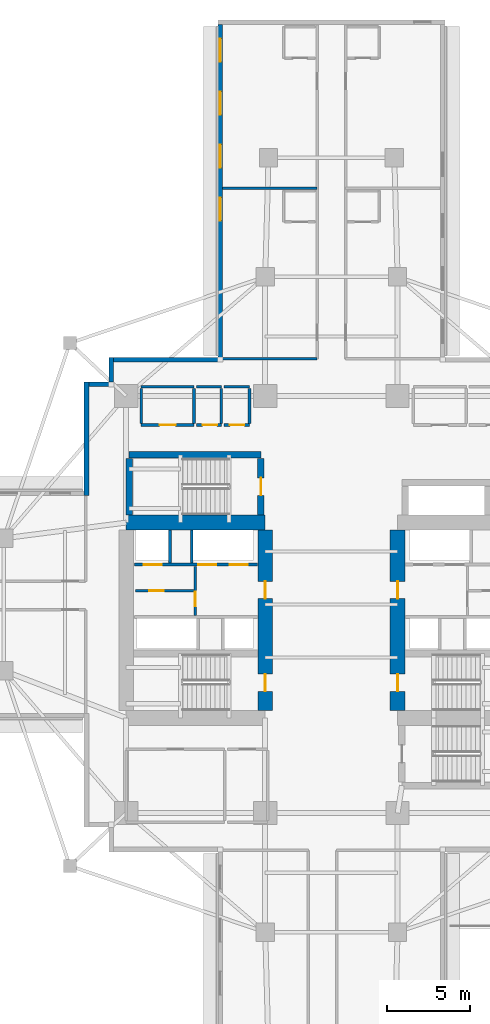
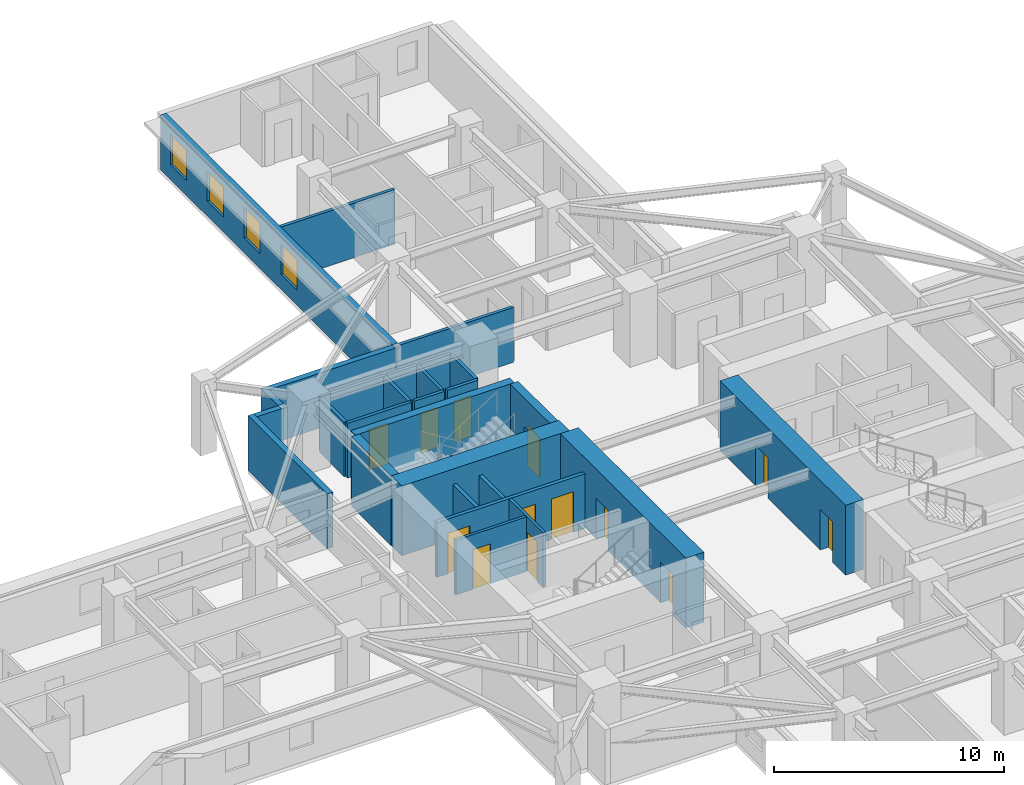
# One storey, part 5 of 13: 28 walls, 13 doors, 4 windows, 17 openings.
"""IFC4 building model written with IfcOpenShell, lengths in metres."""

import ifcopenshell
import ifcopenshell.guid

model = None  # the IFC model being written
_history = None  # IfcOwnerHistory: only IFC2X3 demands one
_inside = {}  # id of a spatial element -> (the spatial element, [elements in it])
_under = {}  # id of a project, library or spatial element -> (it, [spatial elements below it])
_declared = {}  # id of a project -> (the project, [libraries it declares])
_typed = {}  # id of a type object -> (the type object, [elements of that type])
_made_of = {}  # id of a material, layer set ... -> (it, [elements and type objects made of it])


def new_model(schema):
    """Start an empty IFC model of exactly this schema.

    Asked for "IFC4X3", IfcOpenShell would pick the latest addendum, in which some entities
    have other attributes; the version numbers below select the first issue.
    IFC2X3 requires an IfcOwnerHistory on every rooted entity: one is made here for all.
    """
    global model, _history
    if schema == "IFC4X3":
        model = ifcopenshell.file(schema_version=(4, 3, 0, 0))
    else:
        model = ifcopenshell.file(schema=schema)
    _inside.clear()
    _under.clear()
    _declared.clear()
    _typed.clear()
    _made_of.clear()
    _history = None
    if model.schema == "IFC2X3":
        org = make("IfcOrganization", Name="unknown")
        user = make(
            "IfcPersonAndOrganization",
            ThePerson=make("IfcPerson", FamilyName="unknown"),
            TheOrganization=org,
        )
        app = make(
            "IfcApplication",
            ApplicationDeveloper=org,
            Version="unknown",
            ApplicationFullName="unknown",
            ApplicationIdentifier="unknown",
        )
        _history = make(
            "IfcOwnerHistory",
            OwningUser=user,
            OwningApplication=app,
            ChangeAction="ADDED",
            CreationDate=0,
        )
    return model


def make(cls, **values):
    """One entity of the class cls with the attributes given. An attribute that is None is left unset."""
    return model.create_entity(
        cls, **{name: value for name, value in values.items() if value is not None}
    )


def rooted(cls, **values):
    """An entity with a GlobalId (a new one), such as an element, a storey or a relation."""
    return make(cls, GlobalId=ifcopenshell.guid.new(), OwnerHistory=_history, **values)


def si_unit(unit_type, name, prefix=None):
    """IfcSIUnit, for example si_unit("LENGTHUNIT", "METRE", prefix="MILLI")."""
    return make("IfcSIUnit", UnitType=unit_type, Prefix=prefix, Name=name)


def assignment(units):
    """IfcUnitAssignment: the units of a project."""
    return None if units is None else make("IfcUnitAssignment", Units=units)


def point(xyz):
    """IfcCartesianPoint."""
    return None if xyz is None else make("IfcCartesianPoint", Coordinates=xyz)


def direction(xyz):
    """IfcDirection."""
    return None if xyz is None else make("IfcDirection", DirectionRatios=xyz)


def frame(location, z_axis=None, x_axis=None):
    """IfcAxis2Placement3D, a coordinate frame: its origin and axes. An axis left out is left unset."""
    return make(
        "IfcAxis2Placement3D",
        Location=point(location),
        Axis=direction(z_axis),
        RefDirection=direction(x_axis),
    )


def frame_2d(location, x_axis=None):
    """IfcAxis2Placement2D, a coordinate frame in the plane: its origin and x axis."""
    return make(
        "IfcAxis2Placement2D", Location=point(location), RefDirection=direction(x_axis)
    )


def origin():
    """The frame at (0, 0, 0) with its axes left unset."""
    return frame((0.0, 0.0, 0.0))


def place(relative_to, where):
    """IfcLocalPlacement: puts the frame where relative to a parent placement (None: the world)."""
    return make(
        "IfcLocalPlacement", PlacementRelTo=relative_to, RelativePlacement=where
    )


def context(
    kind, dimensions, precision=None, world=None, true_north=None, identifier=None
):
    """IfcGeometricRepresentationContext, for example the 3D "Model" context."""
    return make(
        "IfcGeometricRepresentationContext",
        ContextIdentifier=identifier,
        ContextType=kind,
        CoordinateSpaceDimension=dimensions,
        Precision=precision,
        WorldCoordinateSystem=world,
        TrueNorth=true_north,
    )


def subcontext(parent, identifier, kind, view, scale=None):
    """IfcGeometricRepresentationSubContext, for example "Body" below "Model"."""
    return make(
        "IfcGeometricRepresentationSubContext",
        ContextIdentifier=identifier,
        ContextType=kind,
        ParentContext=parent,
        TargetScale=scale,
        TargetView=view,
    )


def project(units=None, contexts=None):
    """IfcProject with its units and contexts."""
    return rooted(
        "IfcProject",
        Name="project",
        RepresentationContexts=contexts,
        UnitsInContext=assignment(units),
    )


def spatial(cls, under=None, at=None, **own):
    """A site, building, storey or space (cls), placed at a placement, below another one or the project."""
    s = rooted(cls, ObjectPlacement=at, **own)
    if under is not None:
        _under.setdefault(under.id(), (under, []))[1].append(s)
    return s


def profile(cls, at=None, kind="AREA", **sizes):
    """A parametric profile (cls). Its sizes go by their IFC names, for example OverallWidth=200.0."""
    return make(cls, ProfileType=kind, Position=at, **sizes)


def rectangle(**sizes):
    """IfcRectangleProfileDef."""
    return profile("IfcRectangleProfileDef", **sizes)


def extrude(swept, where, along, depth):
    """IfcExtrudedAreaSolid: the profile swept, set in the frame where, extruded along a direction by depth."""
    return make(
        "IfcExtrudedAreaSolid",
        SweptArea=swept,
        Position=where,
        ExtrudedDirection=direction(along),
        Depth=depth,
    )


def shape(context_of_items, identifier, shape_type, items):
    """IfcShapeRepresentation: the items that make up one representation, for example the "Body"."""
    return make(
        "IfcShapeRepresentation",
        ContextOfItems=context_of_items,
        RepresentationIdentifier=identifier,
        RepresentationType=shape_type,
        Items=items,
    )


def material(Name=None, Category=None):
    """IfcMaterial."""
    return make("IfcMaterial", Name=Name, Category=Category)


def layer(
    of_material, thickness, ventilated=None, Name=None, Category=None, Priority=None
):
    """IfcMaterialLayer: one layer of a wall or slab, of a material (None: an air gap)."""
    return make(
        "IfcMaterialLayer",
        Material=of_material,
        LayerThickness=thickness,
        IsVentilated=ventilated,
        Name=Name,
        Category=Category,
        Priority=Priority,
    )


def layer_set(layers, Name=None):
    """IfcMaterialLayerSet."""
    return make("IfcMaterialLayerSet", MaterialLayers=layers, LayerSetName=Name)


def made_of(thing, what):
    """Note that an element or type object is made of a material, layer set ...; save() writes the relation."""
    if what is not None:
        _made_of.setdefault(what.id(), (what, []))[1].append(thing)
    return thing


def type_object(cls, material=None, **own):
    """A type object (cls), such as IfcWallType, which elements share."""
    return made_of(rooted(cls, **own), material)


def element(
    cls,
    number,
    at=None,
    inside=None,
    cuts=None,
    type_object=None,
    material=None,
    context=None,
    identifier="Body",
    shape_type=None,
    held_by="IfcProductDefinitionShape",
    body=None,
    shapes=None,
    **own,
):
    """One element of the class cls, such as IfcWall. Its Tag is "e" and its number.

    at: its placement. inside: the storey or other place that contains it. cuts: it is an
    opening in that element (IfcRelVoidsElement). A single representation is given by context,
    identifier, shape_type and body (its items); several are given by shapes. held_by: the class
    of the entity that holds the representations. save() writes the other relations.
    """
    e = rooted(cls, Tag="e%d" % number, ObjectPlacement=at, **own)
    if body is not None:
        shapes = [shape(context, identifier, shape_type, body)]
    if shapes is not None:
        e.Representation = make(held_by, Representations=shapes)
    if inside is not None:
        _inside.setdefault(inside.id(), (inside, []))[1].append(e)
    if cuts is not None:
        rooted(
            "IfcRelVoidsElement", RelatingBuildingElement=cuts, RelatedOpeningElement=e
        )
    if type_object is not None:
        _typed.setdefault(type_object.id(), (type_object, []))[1].append(e)
    return made_of(e, material)


def fill(opening, filler):
    """IfcRelFillsElement: the door or window that sits in an opening."""
    return rooted(
        "IfcRelFillsElement",
        RelatingOpeningElement=opening,
        RelatedBuildingElement=filler,
    )


def aggregate(whole, parts):
    """IfcRelAggregates: a whole, such as a stair, and the parts it consists of."""
    return rooted("IfcRelAggregates", RelatingObject=whole, RelatedObjects=parts)


def save(model, path):
    """Write the relations noted so far, then the file.

    IfcRelAggregates (storeys below a building ...), IfcRelContainedInSpatialStructure (elements
    in a storey), IfcRelDefinesByType, IfcRelAssociatesMaterial and IfcRelDeclares: one each for
    every whole, place, type object, material and project.
    """
    for whole, parts in _under.values():
        aggregate(whole, parts)
    for where, things in _inside.values():
        rooted(
            "IfcRelContainedInSpatialStructure",
            RelatedElements=things,
            RelatingStructure=where,
        )
    for kind, things in _typed.values():
        rooted("IfcRelDefinesByType", RelatedObjects=things, RelatingType=kind)
    for what, things in _made_of.values():
        rooted("IfcRelAssociatesMaterial", RelatedObjects=things, RelatingMaterial=what)
    for by, libraries in _declared.values():
        rooted("IfcRelDeclares", RelatingContext=by, RelatedDefinitions=libraries)
    model.write(path)


model = new_model("IFC4")

# Units and contexts
model_context = context("Model", 3, precision=1e-05, world=origin(), true_north=direction((0.0, 1.0)))
body_context = subcontext(model_context, "Body", "Model", "MODEL_VIEW")
ifc_project = project(units=[si_unit("LENGTHUNIT", "METRE"), si_unit("AREAUNIT", "SQUARE_METRE"), si_unit("VOLUMEUNIT", "CUBIC_METRE"), si_unit("PLANEANGLEUNIT", "RADIAN"), si_unit("MASSUNIT", "GRAM", prefix="KILO")], contexts=[model_context])

# Site, building, storey
site_placement = place(None, origin())
site = spatial("IfcSite", under=ifc_project, at=site_placement, CompositionType="ELEMENT")
building_placement = place(site_placement, origin())
building = spatial("IfcBuilding", under=site, at=building_placement, Name="Qingluan Cross Belvedere", CompositionType="ELEMENT")
storey_placement = place(building_placement, frame((0.0, 0.0, 63.89990234375)))
storey = spatial("IfcBuildingStorey", under=building, at=storey_placement, Name="L16", CompositionType="ELEMENT", Elevation=63.89990234375)

# Walls
ifc_material_1 = material(Name="Concrete C50", Category="concrete")
ifc_layer_1 = layer(ifc_material_1, 0.449951171875, Name="CoreShearWall_450")
ifc_layer_set_1 = layer_set([ifc_layer_1], Name="Concrete C50")
wall_type_1 = type_object("IfcWallType", Name="CoreShearWall_450", PredefinedType="SHEAR", material=ifc_layer_set_1)
wall_1_placement = place(storey_placement, frame((-12.219970703125, 9.0400390625, 0.0), z_axis=(0.0, 0.0, 1.0), x_axis=(1.0, 0.0, 0.0)))
element("IfcWall", 1, at=wall_1_placement, inside=storey, type_object=wall_type_1, Name="Stair ST3 structural wall N L16", PredefinedType="SHEAR", context=body_context, shape_type="SweptSolid", body=[
    extrude(rectangle(XDim=7.9599609375, YDim=0.39990234375, at=frame_2d((3.97998046875, 0.0))), origin(), (0.0, 0.0, 1.0), 3.7001953125),
])
wall_2_placement = place(storey_placement, frame((-12.219970703125, 5.405029296875, 0.0), z_axis=(0.0, 0.0, 1.0), x_axis=(0.0, 1.0, 0.0)))
element("IfcWall", 2, at=wall_2_placement, inside=storey, type_object=wall_type_1, Name="Stair ST3 structural wall W L16", PredefinedType="SHEAR", context=body_context, shape_type="SweptSolid", body=[
    extrude(rectangle(XDim=3.429931640625, YDim=0.39990234375, at=frame_2d((1.71484375, 0.0))), origin(), (0.0, 0.0, 1.0), 3.7001953125),
])

# Wall, opening, door
wall_3_placement = place(storey_placement, frame((-4.260009765625, 5.405029296875, 0.0), z_axis=(0.0, 0.0, 1.0), x_axis=(0.0, 1.0, 0.0)))
wall_3 = element("IfcWall", 3, at=wall_3_placement, inside=storey, type_object=wall_type_1, Name="Stair ST3 structural wall E L16", PredefinedType="SHEAR", context=body_context, shape_type="SweptSolid", body=[
    extrude(rectangle(XDim=3.429931640625, YDim=0.39990234375, at=frame_2d((1.71484375, 0.0))), origin(), (0.0, 0.0, 1.0), 3.7001953125),
])
opening_1_placement = place(wall_3_placement, frame((1.195068359375, 0.0, 0.0)))
opening_1 = element("IfcOpeningElement", 4, at=opening_1_placement, cuts=wall_3, Name="Opening FD-B11", PredefinedType="OPENING", context=body_context, shape_type="SweptSolid", body=[
    extrude(rectangle(XDim=1.050048828125, YDim=2.14990234375, at=frame_2d((0.52490234375, 1.074951171875))), frame((0.0, 0.2099609375, 0.0), z_axis=(0.0, -1.0, 0.0), x_axis=(1.0, 0.0, 0.0)), (0.0, 0.0, 1.0), 0.419921875),
])
ifc_material_2 = material(Name="Steel Class B smoke-seal fire door", Category="steel")
door_type_1 = type_object("IfcDoorType", Name="StairLobbyFireDoor_FDB", OperationType="NOTDEFINED", PredefinedType="DOOR", material=ifc_material_2)
door_1_placement = place(opening_1_placement, origin())
door_1 = element("IfcDoor", 5, at=door_1_placement, inside=storey, type_object=door_type_1, Name="Smoke-proof stair ST3 fire door L16", OperationType="SINGLE_SWING_RIGHT", OverallHeight=2.14990234375, OverallWidth=1.050048828125, PredefinedType="DOOR", context=body_context, shape_type="SweptSolid", body=[
    extrude(rectangle(XDim=1.050048828125, YDim=2.14990234375, at=frame_2d((0.52490234375, 1.074951171875))), frame((0.0, 0.02490234375, 0.0), z_axis=(0.0, -1.0, 0.0), x_axis=(1.0, 0.0, 0.0)), (0.0, 0.0, 1.0), 0.050048828125),
])
fill(opening_1, door_1)

# Wall
ifc_material_3 = material(Name="Concrete C70", Category="concrete")
ifc_layer_2 = layer(ifc_material_3, 0.89990234375, Name="CoreShearWall_900")
ifc_layer_set_2 = layer_set([ifc_layer_2], Name="Concrete C70")
wall_type_2 = type_object("IfcWallType", Name="CoreShearWall_900", PredefinedType="SHEAR", material=ifc_layer_set_2)
wall_4_placement = place(storey_placement, frame((-12.39990234375, 4.949951171875, 0.0), z_axis=(0.0, 0.0, 1.0), x_axis=(1.0, 0.0, 0.0)))
element("IfcWall", 6, at=wall_4_placement, inside=storey, type_object=wall_type_2, Name="Split core W shear wall L16-N", PredefinedType="SHEAR", context=body_context, shape_type="SweptSolid", body=[
    extrude(rectangle(XDim=8.39990234375, YDim=0.89990234375, at=frame_2d((4.199951171875, 0.0))), origin(), (0.0, 0.0, 1.0), 3.7001953125),
])

# Wall, openings, doors
wall_5_placement = place(storey_placement, frame((-4.0, -6.39501953125, 0.0), z_axis=(0.0, 0.0, 1.0), x_axis=(0.0, 1.0, 0.0)))
wall_5 = element("IfcWall", 7, at=wall_5_placement, inside=storey, type_object=wall_type_2, Name="Split core W shear wall L16-E", PredefinedType="SHEAR", context=body_context, shape_type="SweptSolid", body=[
    extrude(rectangle(XDim=10.89013671875, YDim=0.89990234375, at=frame_2d((5.445068359375, 0.0))), origin(), (0.0, 0.0, 1.0), 3.7001953125),
])
opening_2_placement = place(wall_5_placement, frame((1.14501953125, 0.0, 0.0)))
opening_2 = element("IfcOpeningElement", 8, at=opening_2_placement, cuts=wall_5, Name="Opening FD-B11", PredefinedType="OPENING", context=body_context, shape_type="SweptSolid", body=[
    extrude(rectangle(XDim=1.050048828125, YDim=2.14990234375, at=frame_2d((0.52490234375, 1.074951171875))), frame((0.0, 0.4599609375, 0.0), z_axis=(0.0, -1.0, 0.0), x_axis=(1.0, 0.0, 0.0)), (0.0, 0.0, 1.0), 0.919921875),
])
opening_3_placement = place(wall_5_placement, frame((6.7451171875, 0.0, 0.0)))
opening_3 = element("IfcOpeningElement", 9, at=opening_3_placement, cuts=wall_5, Name="Opening FD-B11", PredefinedType="OPENING", context=body_context, shape_type="SweptSolid", body=[
    extrude(rectangle(XDim=1.050048828125, YDim=2.14990234375, at=frame_2d((0.52490234375, 1.074951171875))), frame((0.0, 0.4599609375, 0.0), z_axis=(0.0, -1.0, 0.0), x_axis=(1.0, 0.0, 0.0)), (0.0, 0.0, 1.0), 0.919921875),
])
door_2_placement = place(opening_2_placement, origin())
door_2 = element("IfcDoor", 10, at=door_2_placement, inside=storey, type_object=door_type_1, Name="Smoke-proof stair ST1 fire door L16", OperationType="SINGLE_SWING_RIGHT", OverallHeight=2.14990234375, OverallWidth=1.050048828125, PredefinedType="DOOR", context=body_context, shape_type="SweptSolid", body=[
    extrude(rectangle(XDim=1.050048828125, YDim=2.14990234375, at=frame_2d((0.52490234375, 1.074951171875))), frame((0.0, 0.02490234375, 0.0), z_axis=(0.0, -1.0, 0.0), x_axis=(1.0, 0.0, 0.0)), (0.0, 0.0, 1.0), 0.050048828125),
])
fill(opening_2, door_2)
door_3_placement = place(opening_3_placement, origin())
door_3 = element("IfcDoor", 11, at=door_3_placement, inside=storey, type_object=door_type_1, Name="Firefighting lobby West fire door L16", OperationType="SINGLE_SWING_RIGHT", OverallHeight=2.14990234375, OverallWidth=1.050048828125, PredefinedType="DOOR", context=body_context, shape_type="SweptSolid", body=[
    extrude(rectangle(XDim=1.050048828125, YDim=2.14990234375, at=frame_2d((0.52490234375, 1.074951171875))), frame((0.0, 0.02490234375, 0.0), z_axis=(0.0, -1.0, 0.0), x_axis=(1.0, 0.0, 0.0)), (0.0, 0.0, 1.0), 0.050048828125),
])
fill(opening_3, door_3)

wall_6_placement = place(storey_placement, frame((4.0, -6.39501953125, 0.0), z_axis=(0.0, 0.0, 1.0), x_axis=(0.0, 1.0, 0.0)))
wall_6 = element("IfcWall", 12, at=wall_6_placement, inside=storey, type_object=wall_type_2, Name="Split core E shear wall L16-W", PredefinedType="SHEAR", context=body_context, shape_type="SweptSolid", body=[
    extrude(rectangle(XDim=10.89013671875, YDim=0.89990234375, at=frame_2d((5.445068359375, 0.0))), origin(), (0.0, 0.0, 1.0), 3.7001953125),
])
opening_4_placement = place(wall_6_placement, frame((1.14501953125, 0.0, 0.0)))
opening_4 = element("IfcOpeningElement", 13, at=opening_4_placement, cuts=wall_6, Name="Opening FD-B11", PredefinedType="OPENING", context=body_context, shape_type="SweptSolid", body=[
    extrude(rectangle(XDim=1.050048828125, YDim=2.14990234375, at=frame_2d((0.52490234375, 1.074951171875))), frame((0.0, 0.4599609375, 0.0), z_axis=(0.0, -1.0, 0.0), x_axis=(1.0, 0.0, 0.0)), (0.0, 0.0, 1.0), 0.919921875),
])
opening_5_placement = place(wall_6_placement, frame((6.7451171875, 0.0, 0.0)))
opening_5 = element("IfcOpeningElement", 14, at=opening_5_placement, cuts=wall_6, Name="Opening FD-B11", PredefinedType="OPENING", context=body_context, shape_type="SweptSolid", body=[
    extrude(rectangle(XDim=1.050048828125, YDim=2.14990234375, at=frame_2d((0.52490234375, 1.074951171875))), frame((0.0, 0.4599609375, 0.0), z_axis=(0.0, -1.0, 0.0), x_axis=(1.0, 0.0, 0.0)), (0.0, 0.0, 1.0), 0.919921875),
])
door_4_placement = place(opening_4_placement, origin())
door_4 = element("IfcDoor", 15, at=door_4_placement, inside=storey, type_object=door_type_1, Name="Smoke-proof stair ST2 fire door L16", OperationType="SINGLE_SWING_LEFT", OverallHeight=2.14990234375, OverallWidth=1.050048828125, PredefinedType="DOOR", context=body_context, shape_type="SweptSolid", body=[
    extrude(rectangle(XDim=1.050048828125, YDim=2.14990234375, at=frame_2d((0.52490234375, 1.074951171875))), frame((0.0, 0.02490234375, 0.0), z_axis=(0.0, -1.0, 0.0), x_axis=(1.0, 0.0, 0.0)), (0.0, 0.0, 1.0), 0.050048828125),
])
fill(opening_4, door_4)
door_5_placement = place(opening_5_placement, origin())
door_5 = element("IfcDoor", 16, at=door_5_placement, inside=storey, type_object=door_type_1, Name="Firefighting lobby East fire door L16", OperationType="SINGLE_SWING_LEFT", OverallHeight=2.14990234375, OverallWidth=1.050048828125, PredefinedType="DOOR", context=body_context, shape_type="SweptSolid", body=[
    extrude(rectangle(XDim=1.050048828125, YDim=2.14990234375, at=frame_2d((0.52490234375, 1.074951171875))), frame((0.0, 0.02490234375, 0.0), z_axis=(0.0, -1.0, 0.0), x_axis=(1.0, 0.0, 0.0)), (0.0, 0.0, 1.0), 0.050048828125),
])
fill(opening_5, door_5)

# Wall, opening, door
ifc_material_4 = material(Name="Gypsum plasterboard on steel stud acoustic partition", Category="steel")
ifc_layer_3 = layer(ifc_material_4, 0.159912109375, Name="CorridorPartition_160")
ifc_layer_set_3 = layer_set([ifc_layer_3], Name="Gypsum plasterboard on steel stud acoustic partition")
wall_type_3 = type_object("IfcWallType", Name="CorridorPartition_160", PredefinedType="PARTITIONING", material=ifc_layer_set_3)
wall_7_placement = place(storey_placement, frame((-11.85009765625, 0.830078125, 0.0), z_axis=(0.0, 0.0, 1.0), x_axis=(1.0, 0.0, 0.0)))
wall_7 = element("IfcWall", 17, at=wall_7_placement, inside=storey, type_object=wall_type_3, Name="Partition L16:w", PredefinedType="PARTITIONING", context=body_context, shape_type="SweptSolid", body=[
    extrude(rectangle(XDim=3.552001953125, YDim=0.139892578125, at=frame_2d((1.77587890625, 0.0))), origin(), (0.0, 0.0, 1.0), 2.900146484375),
])
opening_6_placement = place(wall_7_placement, frame((0.85009765625, 0.0, 0.0)))
opening_6 = element("IfcOpeningElement", 18, at=opening_6_placement, cuts=wall_7, Name="Opening FD-B10", PredefinedType="OPENING", context=body_context, shape_type="SweptSolid", body=[
    extrude(rectangle(XDim=0.8798828125, YDim=2.10009765625, at=frame_2d((0.43994140625, 1.050048828125))), frame((0.0, 0.079833984375, 0.0), z_axis=(0.0, -1.0, 0.0), x_axis=(1.0, 0.0, 0.0)), (0.0, 0.0, 1.0), 0.159912109375),
])
ifc_material_5 = material(Name="Steel Class B service fire door", Category="steel")
door_type_2 = type_object("IfcDoorType", Name="RiserServiceFireDoor_FDB", OperationType="NOTDEFINED", PredefinedType="DOOR", material=ifc_material_5)
door_6_placement = place(opening_6_placement, origin())
door_6 = element("IfcDoor", 19, at=door_6_placement, inside=storey, type_object=door_type_2, Name="Service closet inner door L16", OperationType="SINGLE_SWING_RIGHT", OverallHeight=2.10009765625, OverallWidth=0.8798828125, PredefinedType="DOOR", context=body_context, shape_type="SweptSolid", body=[
    extrude(rectangle(XDim=0.8798828125, YDim=2.10009765625, at=frame_2d((0.43994140625, 1.050048828125))), frame((0.0, 0.02490234375, 0.0), z_axis=(0.0, -1.0, 0.0), x_axis=(1.0, 0.0, 0.0)), (0.0, 0.0, 1.0), 0.050048828125),
])
fill(opening_6, door_6)

wall_8_placement = place(storey_placement, frame((-11.5, 10.85009765625, 0.0), z_axis=(0.0, 0.0, 1.0), x_axis=(1.0, 0.0, 0.0)))
wall_8 = element("IfcWall", 20, at=wall_8_placement, inside=storey, type_object=wall_type_3, Name="Partition L16:q_nw_occ:S", PredefinedType="PARTITIONING", context=body_context, shape_type="SweptSolid", body=[
    extrude(rectangle(XDim=3.199951171875, YDim=0.159912109375, at=frame_2d((1.60009765625, 0.0))), origin(), (0.0, 0.0, 1.0), 2.900146484375),
])
opening_7_placement = place(wall_8_placement, frame((1.1201171875, 0.0, 0.0)))
opening_7 = element("IfcOpeningElement", 21, at=opening_7_placement, cuts=wall_8, Name="Opening GD-10", PredefinedType="OPENING", context=body_context, shape_type="SweptSolid", body=[
    extrude(rectangle(XDim=0.9599609375, YDim=2.14990234375, at=frame_2d((0.47998046875, 1.074951171875))), frame((0.0, 0.08984375, 0.0), z_axis=(0.0, -1.0, 0.0), x_axis=(1.0, 0.0, 0.0)), (0.0, 0.0, 1.0), 0.179931640625),
])
ifc_material_6 = material(Name="Timber oak fire-rated acoustic guestroom door", Category="wood")
door_type_3 = type_object("IfcDoorType", Name="GuestEntryDoor_FD60", OperationType="NOTDEFINED", PredefinedType="DOOR", material=ifc_material_6)
door_7_placement = place(opening_7_placement, origin())
door_7 = element("IfcDoor", 22, at=door_7_placement, inside=storey, type_object=door_type_3, Name="Northwest corner reading salon L16 door", OperationType="SINGLE_SWING_RIGHT", OverallHeight=2.14990234375, OverallWidth=0.9599609375, PredefinedType="DOOR", context=body_context, shape_type="SweptSolid", body=[
    extrude(rectangle(XDim=0.9599609375, YDim=2.14990234375, at=frame_2d((0.47998046875, 1.074951171875))), frame((0.0, 0.02490234375, 0.0), z_axis=(0.0, -1.0, 0.0), x_axis=(1.0, 0.0, 0.0)), (0.0, 0.0, 1.0), 0.050048828125),
])
fill(opening_7, door_7)

# Walls
wall_9_placement = place(storey_placement, frame((-11.5, 13.14990234375, 0.0), z_axis=(0.0, 0.0, 1.0), x_axis=(1.0, 0.0, 0.0)))
element("IfcWall", 23, at=wall_9_placement, inside=storey, type_object=wall_type_3, Name="Partition L16:q_nw_occ:N", PredefinedType="PARTITIONING", context=body_context, shape_type="SweptSolid", body=[
    extrude(rectangle(XDim=3.199951171875, YDim=0.159912109375, at=frame_2d((1.60009765625, 0.0))), origin(), (0.0, 0.0, 1.0), 2.900146484375),
])
for number, where, z_axis, x_axis, name in (
    (24, (-11.5, 10.93505859375, 0.0), (0.0, 0.0, 1.0), (0.0, 1.0, 0.0), "Partition L16:q_nw_occ:W"),
    (25, (-8.300048828125, 10.93505859375, 0.0), (0.0, 0.0, 1.0), (0.0, 1.0, 0.0), "Partition L16:q_nw_occ:E"),
):
    element("IfcWall", number, at=place(storey_placement, frame(where, z_axis=z_axis, x_axis=x_axis)), inside=storey, type_object=wall_type_3, Name=name, PredefinedType="PARTITIONING", context=body_context, shape_type="SweptSolid", body=[
        extrude(rectangle(XDim=2.1298828125, YDim=0.159912109375, at=frame_2d((1.06494140625, 0.0))), origin(), (0.0, 0.0, 1.0), 2.900146484375),
    ])

# Wall, opening, door
wall_10_placement = place(storey_placement, frame((-8.139892578125, 10.85009765625, 0.0), z_axis=(0.0, 0.0, 1.0), x_axis=(1.0, 0.0, 0.0)))
wall_10 = element("IfcWall", 26, at=wall_10_placement, inside=storey, type_object=wall_type_3, Name="Partition L16:hk_linen:S", PredefinedType="PARTITIONING", context=body_context, shape_type="SweptSolid", body=[
    extrude(rectangle(XDim=1.489990234375, YDim=0.159912109375, at=frame_2d((0.7451171875, 0.0))), origin(), (0.0, 0.0, 1.0), 2.900146484375),
])
opening_8_placement = place(wall_10_placement, frame((0.35009765625, 0.0, 0.0)))
opening_8 = element("IfcOpeningElement", 27, at=opening_8_placement, cuts=wall_10, Name="Opening FD-B10", PredefinedType="OPENING", context=body_context, shape_type="SweptSolid", body=[
    extrude(rectangle(XDim=0.8798828125, YDim=2.10009765625, at=frame_2d((0.43994140625, 1.050048828125))), frame((0.0, 0.08984375, 0.0), z_axis=(0.0, -1.0, 0.0), x_axis=(1.0, 0.0, 0.0)), (0.0, 0.0, 1.0), 0.179931640625),
])
door_8_placement = place(opening_8_placement, origin())
door_8 = element("IfcDoor", 28, at=door_8_placement, inside=storey, type_object=door_type_2, Name="Housekeeping and linen store L16 door", OperationType="SINGLE_SWING_LEFT", OverallHeight=2.10009765625, OverallWidth=0.8798828125, PredefinedType="DOOR", context=body_context, shape_type="SweptSolid", body=[
    extrude(rectangle(XDim=0.8798828125, YDim=2.10009765625, at=frame_2d((0.43994140625, 1.050048828125))), frame((0.0, 0.02490234375, 0.0), z_axis=(0.0, -1.0, 0.0), x_axis=(1.0, 0.0, 0.0)), (0.0, 0.0, 1.0), 0.050048828125),
])
fill(opening_8, door_8)

# Walls
wall_11_placement = place(storey_placement, frame((-8.139892578125, 13.14990234375, 0.0), z_axis=(0.0, 0.0, 1.0), x_axis=(1.0, 0.0, 0.0)))
element("IfcWall", 29, at=wall_11_placement, inside=storey, type_object=wall_type_3, Name="Partition L16:hk_linen:N", PredefinedType="PARTITIONING", context=body_context, shape_type="SweptSolid", body=[
    extrude(rectangle(XDim=1.489990234375, YDim=0.159912109375, at=frame_2d((0.7451171875, 0.0))), origin(), (0.0, 0.0, 1.0), 2.900146484375),
])
wall_12_placement = place(storey_placement, frame((-6.64990234375, 10.93505859375, 0.0), z_axis=(0.0, 0.0, 1.0), x_axis=(0.0, 1.0, 0.0)))
element("IfcWall", 30, at=wall_12_placement, inside=storey, type_object=wall_type_3, Name="Partition L16:hk_linen:E", PredefinedType="PARTITIONING", context=body_context, shape_type="SweptSolid", body=[
    extrude(rectangle(XDim=2.1298828125, YDim=0.159912109375, at=frame_2d((1.06494140625, 0.0))), origin(), (0.0, 0.0, 1.0), 2.900146484375),
])

# Wall, opening, door
wall_13_placement = place(storey_placement, frame((-6.489990234375, 10.85009765625, 0.0), z_axis=(0.0, 0.0, 1.0), x_axis=(1.0, 0.0, 0.0)))
wall_13 = element("IfcWall", 31, at=wall_13_placement, inside=storey, type_object=wall_type_3, Name="Partition L16:floor_acc_wc:S", PredefinedType="PARTITIONING", context=body_context, shape_type="SweptSolid", body=[
    extrude(rectangle(XDim=1.5400390625, YDim=0.159912109375, at=frame_2d((0.77001953125, 0.0))), origin(), (0.0, 0.0, 1.0), 2.900146484375),
])
opening_9_placement = place(wall_13_placement, frame((0.35009765625, 0.0, 0.0)))
opening_9 = element("IfcOpeningElement", 32, at=opening_9_placement, cuts=wall_13, Name="Opening BD-08", PredefinedType="OPENING", context=body_context, shape_type="SweptSolid", body=[
    extrude(rectangle(XDim=0.8798828125, YDim=2.14990234375, at=frame_2d((0.43994140625, 1.074951171875))), frame((0.0, 0.08984375, 0.0), z_axis=(0.0, -1.0, 0.0), x_axis=(1.0, 0.0, 0.0)), (0.0, 0.0, 1.0), 0.179931640625),
])
ifc_material_7 = material(Name="Moisture-sealed timber accessible WC door", Category="wood")
door_type_4 = type_object("IfcDoorType", Name="AccessibleWCDoor_880", OperationType="NOTDEFINED", PredefinedType="DOOR", material=ifc_material_7)
door_9_placement = place(opening_9_placement, origin())
door_9 = element("IfcDoor", 33, at=door_9_placement, inside=storey, type_object=door_type_4, Name="Accessible guest washroom L16 door", OperationType="SINGLE_SWING_RIGHT", OverallHeight=2.14990234375, OverallWidth=0.8798828125, PredefinedType="DOOR", context=body_context, shape_type="SweptSolid", body=[
    extrude(rectangle(XDim=0.8798828125, YDim=2.14990234375, at=frame_2d((0.43994140625, 1.074951171875))), frame((0.0, 0.02490234375, 0.0), z_axis=(0.0, -1.0, 0.0), x_axis=(1.0, 0.0, 0.0)), (0.0, 0.0, 1.0), 0.050048828125),
])
fill(opening_9, door_9)

# Walls
wall_14_placement = place(storey_placement, frame((-6.489990234375, 13.14990234375, 0.0), z_axis=(0.0, 0.0, 1.0), x_axis=(1.0, 0.0, 0.0)))
element("IfcWall", 34, at=wall_14_placement, inside=storey, type_object=wall_type_3, Name="Partition L16:floor_acc_wc:N", PredefinedType="PARTITIONING", context=body_context, shape_type="SweptSolid", body=[
    extrude(rectangle(XDim=1.5400390625, YDim=0.159912109375, at=frame_2d((0.77001953125, 0.0))), origin(), (0.0, 0.0, 1.0), 2.900146484375),
])
wall_15_placement = place(storey_placement, frame((-4.949951171875, 10.93505859375, 0.0), z_axis=(0.0, 0.0, 1.0), x_axis=(0.0, 1.0, 0.0)))
element("IfcWall", 35, at=wall_15_placement, inside=storey, type_object=wall_type_3, Name="Partition L16:floor_acc_wc:E", PredefinedType="PARTITIONING", context=body_context, shape_type="SweptSolid", body=[
    extrude(rectangle(XDim=2.1298828125, YDim=0.159912109375, at=frame_2d((1.06494140625, 0.0))), origin(), (0.0, 0.0, 1.0), 2.900146484375),
])
wall_16_placement = place(storey_placement, frame((-0.860107421875, 14.85009765625, 0.0), z_axis=(0.0, 0.0, 1.0), x_axis=(-1.0, 0.0, 0.0)))
element("IfcWall", 36, at=wall_16_placement, inside=storey, type_object=wall_type_3, Name="Partition L16:N:s1", PredefinedType="PARTITIONING", context=body_context, shape_type="SweptSolid", body=[
    extrude(rectangle(XDim=5.85986328125, YDim=0.159912109375, at=frame_2d((2.929931640625, 0.0))), origin(), (0.0, 0.0, 1.0), 2.900146484375),
])
wall_17_placement = place(storey_placement, frame((-0.860107421875, 25.156982421875, 0.0), z_axis=(0.0, 0.0, 1.0), x_axis=(-1.0, 0.0, 0.0)))
element("IfcWall", 37, at=wall_17_placement, inside=storey, type_object=wall_type_3, Name="Partition L16:N:d1_0", PredefinedType="PARTITIONING", context=body_context, shape_type="SweptSolid", body=[
    extrude(rectangle(XDim=5.7119140625, YDim=0.159912109375, at=frame_2d((2.85595703125, 0.0))), origin(), (0.0, 0.0, 1.0), 2.900146484375),
])

# Wall, openings, windows
ifc_material_8 = material(Name="Precast concrete C45", Category="concrete")
ifc_layer_4 = layer(ifc_material_8, 0.280029296875, Name="PrecastFacadeWall_280")
ifc_layer_set_4 = layer_set([ifc_layer_4], Name="Precast concrete C45")
wall_type_4 = type_object("IfcWallType", Name="PrecastFacadeWall_280", PredefinedType="STANDARD", material=ifc_layer_set_4)
wall_18_placement = place(storey_placement, frame((-6.719970703125, 35.0400390625, 0.0), z_axis=(0.0, 0.0, 1.0), x_axis=(0.0, -1.0, 0.0)))
wall_18 = element("IfcWall", 38, at=wall_18_placement, inside=storey, type_object=wall_type_4, Name="Facade wall L16-NB", PredefinedType="STANDARD", context=body_context, shape_type="SweptSolid", body=[
    extrude(rectangle(XDim=20.10009765625, YDim=0.280029296875, at=frame_2d((10.050048828125, 0.0))), origin(), (0.0, 0.0, 1.0), 2.91015625),
])
opening_10_placement = place(wall_18_placement, frame((0.85009765625, 0.0, 0.800048828125)))
opening_10 = element("IfcOpeningElement", 39, at=opening_10_placement, cuts=wall_18, Name="Opening W-01", PredefinedType="OPENING", context=body_context, shape_type="SweptSolid", body=[
    extrude(rectangle(XDim=1.39990234375, YDim=1.60009765625, at=frame_2d((0.699951171875, 0.800048828125))), frame((0.0, 0.14990234375, 0.0), z_axis=(0.0, -1.0, 0.0), x_axis=(1.0, 0.0, 0.0)), (0.0, 0.0, 1.0), 0.300048828125),
])
opening_11_placement = place(wall_18_placement, frame((4.050048828125, 0.0, 0.800048828125)))
opening_11 = element("IfcOpeningElement", 40, at=opening_11_placement, cuts=wall_18, Name="Opening W-01", PredefinedType="OPENING", context=body_context, shape_type="SweptSolid", body=[
    extrude(rectangle(XDim=1.39990234375, YDim=1.60009765625, at=frame_2d((0.699951171875, 0.800048828125))), frame((0.0, 0.14990234375, 0.0), z_axis=(0.0, -1.0, 0.0), x_axis=(1.0, 0.0, 0.0)), (0.0, 0.0, 1.0), 0.300048828125),
])
opening_12_placement = place(wall_18_placement, frame((7.25, 0.0, 0.800048828125)))
opening_12 = element("IfcOpeningElement", 41, at=opening_12_placement, cuts=wall_18, Name="Opening W-01", PredefinedType="OPENING", context=body_context, shape_type="SweptSolid", body=[
    extrude(rectangle(XDim=1.39990234375, YDim=1.60009765625, at=frame_2d((0.699951171875, 0.800048828125))), frame((0.0, 0.14990234375, 0.0), z_axis=(0.0, -1.0, 0.0), x_axis=(1.0, 0.0, 0.0)), (0.0, 0.0, 1.0), 0.300048828125),
])
opening_13_placement = place(wall_18_placement, frame((10.449951171875, 0.0, 0.800048828125)))
opening_13 = element("IfcOpeningElement", 42, at=opening_13_placement, cuts=wall_18, Name="Opening W-01", PredefinedType="OPENING", context=body_context, shape_type="SweptSolid", body=[
    extrude(rectangle(XDim=1.39990234375, YDim=1.60009765625, at=frame_2d((0.699951171875, 0.800048828125))), frame((0.0, 0.14990234375, 0.0), z_axis=(0.0, -1.0, 0.0), x_axis=(1.0, 0.0, 0.0)), (0.0, 0.0, 1.0), 0.300048828125),
])
ifc_material_9 = material(Name="Thermally broken triple Low-E glass in aluminium frame", Category="aluminium")
window_type = type_object("IfcWindowType", Name="TriRibbonWin_1400x1600", PartitioningType="SINGLE_PANEL", PredefinedType="WINDOW", material=ifc_material_9)
window_1_placement = place(opening_10_placement, origin())
window_1 = element("IfcWindow", 43, at=window_1_placement, inside=storey, type_object=window_type, Name="Ribbon window L16-NB-1", OverallHeight=1.60009765625, OverallWidth=1.39990234375, PartitioningType="SINGLE_PANEL", PredefinedType="WINDOW", context=body_context, shape_type="SweptSolid", body=[
    extrude(rectangle(XDim=1.39990234375, YDim=1.60009765625, at=frame_2d((0.699951171875, 0.800048828125))), frame((0.0, 0.030029296875, 0.0), z_axis=(0.0, -1.0, 0.0), x_axis=(1.0, 0.0, 0.0)), (0.0, 0.0, 1.0), 0.06005859375),
])
fill(opening_10, window_1)
window_2_placement = place(opening_11_placement, origin())
window_2 = element("IfcWindow", 44, at=window_2_placement, inside=storey, type_object=window_type, Name="Ribbon window L16-NB-2", OverallHeight=1.60009765625, OverallWidth=1.39990234375, PartitioningType="SINGLE_PANEL", PredefinedType="WINDOW", context=body_context, shape_type="SweptSolid", body=[
    extrude(rectangle(XDim=1.39990234375, YDim=1.60009765625, at=frame_2d((0.699951171875, 0.800048828125))), frame((0.0, 0.030029296875, 0.0), z_axis=(0.0, -1.0, 0.0), x_axis=(1.0, 0.0, 0.0)), (0.0, 0.0, 1.0), 0.06005859375),
])
fill(opening_11, window_2)
window_3_placement = place(opening_12_placement, origin())
window_3 = element("IfcWindow", 45, at=window_3_placement, inside=storey, type_object=window_type, Name="Ribbon window L16-NB-3", OverallHeight=1.60009765625, OverallWidth=1.39990234375, PartitioningType="SINGLE_PANEL", PredefinedType="WINDOW", context=body_context, shape_type="SweptSolid", body=[
    extrude(rectangle(XDim=1.39990234375, YDim=1.60009765625, at=frame_2d((0.699951171875, 0.800048828125))), frame((0.0, 0.030029296875, 0.0), z_axis=(0.0, -1.0, 0.0), x_axis=(1.0, 0.0, 0.0)), (0.0, 0.0, 1.0), 0.06005859375),
])
fill(opening_12, window_3)
window_4_placement = place(opening_13_placement, origin())
window_4 = element("IfcWindow", 46, at=window_4_placement, inside=storey, type_object=window_type, Name="Ribbon window L16-NB-4", OverallHeight=1.60009765625, OverallWidth=1.39990234375, PartitioningType="SINGLE_PANEL", PredefinedType="WINDOW", context=body_context, shape_type="SweptSolid", body=[
    extrude(rectangle(XDim=1.39990234375, YDim=1.60009765625, at=frame_2d((0.699951171875, 0.800048828125))), frame((0.0, 0.030029296875, 0.0), z_axis=(0.0, -1.0, 0.0), x_axis=(1.0, 0.0, 0.0)), (0.0, 0.0, 1.0), 0.06005859375),
])
fill(opening_13, window_4)

# Walls
wall_19_placement = place(storey_placement, frame((-14.800048828125, 6.580078125, 0.0), z_axis=(0.0, 0.0, 1.0), x_axis=(0.0, 1.0, 0.0)))
element("IfcWall", 47, at=wall_19_placement, inside=storey, type_object=wall_type_4, Name="Corner wall L16-NW1", PredefinedType="STANDARD", context=body_context, shape_type="SweptSolid", body=[
    extrude(rectangle(XDim=6.85986328125, YDim=0.280029296875, at=frame_2d((3.429931640625, 0.0))), origin(), (0.0, 0.0, 1.0), 2.91015625),
])
wall_20_placement = place(storey_placement, frame((-14.659912109375, 13.300048828125, 0.0), z_axis=(0.0, 0.0, 1.0), x_axis=(1.0, 0.0, 0.0)))
element("IfcWall", 48, at=wall_20_placement, inside=storey, type_object=wall_type_4, Name="Corner wall L16-NW2", PredefinedType="STANDARD", context=body_context, shape_type="SweptSolid", body=[
    extrude(rectangle(XDim=1.219970703125, YDim=0.280029296875, at=frame_2d((0.60986328125, 0.0))), origin(), (0.0, 0.0, 1.0), 2.91015625),
])
wall_21_placement = place(storey_placement, frame((-13.300048828125, 13.43994140625, 0.0), z_axis=(0.0, 0.0, 1.0), x_axis=(0.0, 1.0, 0.0)))
element("IfcWall", 49, at=wall_21_placement, inside=storey, type_object=wall_type_4, Name="Corner wall L16-NW3", PredefinedType="STANDARD", context=body_context, shape_type="SweptSolid", body=[
    extrude(rectangle(XDim=1.5, YDim=0.280029296875, at=frame_2d((0.75, 0.0))), origin(), (0.0, 0.0, 1.0), 2.91015625),
])
wall_22_placement = place(storey_placement, frame((-13.159912109375, 14.800048828125, 0.0), z_axis=(0.0, 0.0, 1.0), x_axis=(1.0, 0.0, 0.0)))
element("IfcWall", 50, at=wall_22_placement, inside=storey, type_object=wall_type_4, Name="Corner wall L16-NW4", PredefinedType="STANDARD", context=body_context, shape_type="SweptSolid", body=[
    extrude(rectangle(XDim=6.2998046875, YDim=0.280029296875, at=frame_2d((3.14990234375, 0.0))), origin(), (0.0, 0.0, 1.0), 2.91015625),
])

# Wall, openings, doors
ifc_material_10 = material(Name="Concrete C40", Category="concrete")
ifc_layer_5 = layer(ifc_material_10, 0.219970703125, Name="ShaftEnclosureWall_250")
ifc_layer_set_5 = layer_set([ifc_layer_5], Name="Concrete C40")
wall_type_5 = type_object("IfcWallType", Name="ShaftEnclosureWall_250", PredefinedType="SOLIDWALL", material=ifc_layer_set_5)
wall_23_placement = place(storey_placement, frame((-11.89990234375, 2.409912109375, 0.0), z_axis=(0.0, 0.0, 1.0), x_axis=(1.0, 0.0, 0.0)))
wall_23 = element("IfcWall", 51, at=wall_23_placement, inside=storey, type_object=wall_type_5, Name="Core-W north hoistway wall L16", PredefinedType="SOLIDWALL", context=body_context, shape_type="SweptSolid", body=[
    extrude(rectangle(XDim=7.419921875, YDim=0.179931640625, at=frame_2d((3.7099609375, 0.0))), origin(), (0.0, 0.0, 1.0), 2.900146484375),
])
opening_14_placement = place(wall_23_placement, frame((0.550048828125, 0.0, 0.0)))
opening_14 = element("IfcOpeningElement", 52, at=opening_14_placement, cuts=wall_23, Name="Opening LD-11", PredefinedType="OPENING", context=body_context, shape_type="SweptSolid", body=[
    extrude(rectangle(XDim=1.10009765625, YDim=2.14990234375, at=frame_2d((0.550048828125, 1.074951171875))), frame((0.0, 0.099853515625, 0.0), z_axis=(0.0, -1.0, 0.0), x_axis=(1.0, 0.0, 0.0)), (0.0, 0.0, 1.0), 0.199951171875),
])
opening_15_placement = place(wall_23_placement, frame((3.85009765625, 0.0, 0.0)))
opening_15 = element("IfcOpeningElement", 53, at=opening_15_placement, cuts=wall_23, Name="Opening LD-11", PredefinedType="OPENING", context=body_context, shape_type="SweptSolid", body=[
    extrude(rectangle(XDim=1.10009765625, YDim=2.14990234375, at=frame_2d((0.550048828125, 1.074951171875))), frame((0.0, 0.099853515625, 0.0), z_axis=(0.0, -1.0, 0.0), x_axis=(1.0, 0.0, 0.0)), (0.0, 0.0, 1.0), 0.199951171875),
])
opening_16_placement = place(wall_23_placement, frame((5.75, 0.0, 0.0)))
opening_16 = element("IfcOpeningElement", 54, at=opening_16_placement, cuts=wall_23, Name="Opening LD-11", PredefinedType="OPENING", context=body_context, shape_type="SweptSolid", body=[
    extrude(rectangle(XDim=1.10009765625, YDim=2.14990234375, at=frame_2d((0.550048828125, 1.074951171875))), frame((0.0, 0.099853515625, 0.0), z_axis=(0.0, -1.0, 0.0), x_axis=(1.0, 0.0, 0.0)), (0.0, 0.0, 1.0), 0.199951171875),
])
ifc_material_11 = material(Name="Brushed stainless steel centre-opening lift landing door", Category="steel")
door_type_5 = type_object("IfcDoorType", Name="LiftLandingSlidingDoor_1100", OperationType="DOUBLE_DOOR_SLIDING", PredefinedType="DOOR", material=ifc_material_11)
door_10_placement = place(opening_14_placement, origin())
door_10 = element("IfcDoor", 55, at=door_10_placement, inside=storey, type_object=door_type_5, Name="Lift landing sliding door FL1 L16", OperationType="DOUBLE_DOOR_SLIDING", OverallHeight=2.14990234375, OverallWidth=1.10009765625, PredefinedType="DOOR", context=body_context, shape_type="SweptSolid", body=[
    extrude(rectangle(XDim=1.10009765625, YDim=2.14990234375, at=frame_2d((0.550048828125, 1.074951171875))), frame((0.0, 0.02490234375, 0.0), z_axis=(0.0, -1.0, 0.0), x_axis=(1.0, 0.0, 0.0)), (0.0, 0.0, 1.0), 0.050048828125),
])
fill(opening_14, door_10)
door_11_placement = place(opening_15_placement, origin())
door_11 = element("IfcDoor", 56, at=door_11_placement, inside=storey, type_object=door_type_5, Name="Lift landing sliding door LP1 L16", OperationType="DOUBLE_DOOR_SLIDING", OverallHeight=2.14990234375, OverallWidth=1.10009765625, PredefinedType="DOOR", context=body_context, shape_type="SweptSolid", body=[
    extrude(rectangle(XDim=1.10009765625, YDim=2.14990234375, at=frame_2d((0.550048828125, 1.074951171875))), frame((0.0, 0.02490234375, 0.0), z_axis=(0.0, -1.0, 0.0), x_axis=(1.0, 0.0, 0.0)), (0.0, 0.0, 1.0), 0.050048828125),
])
fill(opening_15, door_11)
door_12_placement = place(opening_16_placement, origin())
door_12 = element("IfcDoor", 57, at=door_12_placement, inside=storey, type_object=door_type_5, Name="Lift landing sliding door LP2 L16", OperationType="DOUBLE_DOOR_SLIDING", OverallHeight=2.14990234375, OverallWidth=1.10009765625, PredefinedType="DOOR", context=body_context, shape_type="SweptSolid", body=[
    extrude(rectangle(XDim=1.10009765625, YDim=2.14990234375, at=frame_2d((0.550048828125, 1.074951171875))), frame((0.0, 0.02490234375, 0.0), z_axis=(0.0, -1.0, 0.0), x_axis=(1.0, 0.0, 0.0)), (0.0, 0.0, 1.0), 0.050048828125),
])
fill(opening_16, door_12)

# Walls
for number, where, z_axis, x_axis, name in (
    (58, (-9.760009765625, 2.5, 0.0), (0.0, 0.0, 1.0), (0.0, 1.0, 0.0), "Hoistway enclosure divider FL1E L16"),
    (59, (-8.43994140625, 2.5, 0.0), (0.0, 0.0, 1.0), (0.0, 1.0, 0.0), "Hoistway enclosure divider LP1W L16"),
):
    element("IfcWall", number, at=place(storey_placement, frame(where, z_axis=z_axis, x_axis=x_axis)), inside=storey, type_object=wall_type_5, Name=name, PredefinedType="SOLIDWALL", context=body_context, shape_type="SweptSolid", body=[
        extrude(rectangle(XDim=1.989990234375, YDim=0.179931640625, at=frame_2d((0.9951171875, 0.0))), origin(), (0.0, 0.0, 1.0), 2.900146484375),
    ])

# Wall, opening, door
wall_24_placement = place(storey_placement, frame((-8.219970703125, -0.64990234375, 0.0), z_axis=(0.0, 0.0, 1.0), x_axis=(0.0, 1.0, 0.0)))
wall_24 = element("IfcWall", 60, at=wall_24_placement, inside=storey, type_object=wall_type_5, Name="Core-W service corridor wall L16", PredefinedType="SOLIDWALL", context=body_context, shape_type="SweptSolid", body=[
    extrude(rectangle(XDim=2.9599609375, YDim=0.139892578125, at=frame_2d((1.47998046875, 0.0))), origin(), (0.0, 0.0, 1.0), 2.900146484375),
])
opening_17_placement = place(wall_24_placement, frame((0.550048828125, 0.0, 0.0)))
opening_17 = element("IfcOpeningElement", 61, at=opening_17_placement, cuts=wall_24, Name="Opening FD-B10", PredefinedType="OPENING", context=body_context, shape_type="SweptSolid", body=[
    extrude(rectangle(XDim=0.8798828125, YDim=2.10009765625, at=frame_2d((0.43994140625, 1.050048828125))), frame((0.0, 0.079833984375, 0.0), z_axis=(0.0, -1.0, 0.0), x_axis=(1.0, 0.0, 0.0)), (0.0, 0.0, 1.0), 0.159912109375),
])
door_13_placement = place(opening_17_placement, origin())
door_13 = element("IfcDoor", 62, at=door_13_placement, inside=storey, type_object=door_type_2, Name="Core-W service room door L16", OperationType="SINGLE_SWING_RIGHT", OverallHeight=2.10009765625, OverallWidth=0.8798828125, PredefinedType="DOOR", context=body_context, shape_type="SweptSolid", body=[
    extrude(rectangle(XDim=0.8798828125, YDim=2.10009765625, at=frame_2d((0.43994140625, 1.050048828125))), frame((0.0, 0.02490234375, 0.0), z_axis=(0.0, -1.0, 0.0), x_axis=(1.0, 0.0, 0.0)), (0.0, 0.0, 1.0), 0.050048828125),
])
fill(opening_17, door_13)

save(model, "model.ifc")
